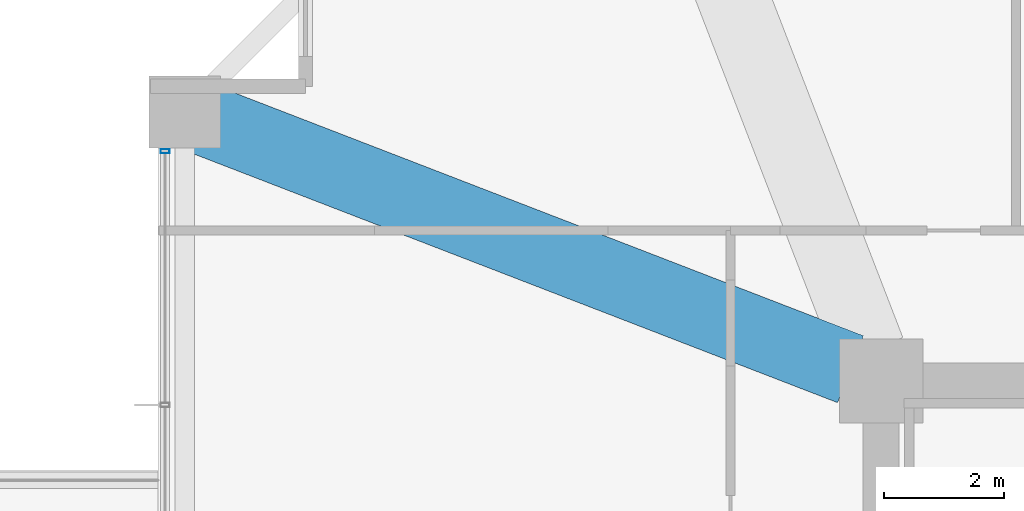
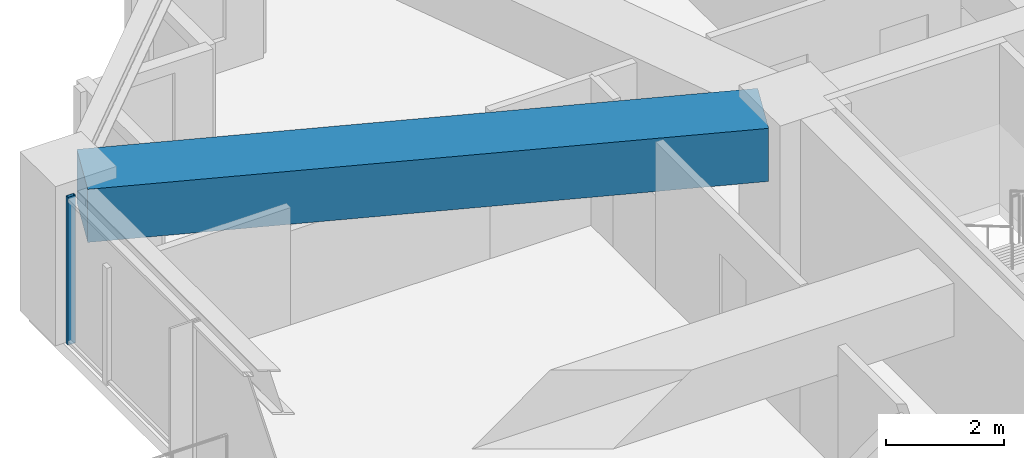
# One storey, part 19 of 39: 1 beam, 1 member, 1 element without a shape of its own.
"""IFC4 building model written with IfcOpenShell, lengths in metres."""

import ifcopenshell
import ifcopenshell.guid

model = None  # the IFC model being written
_history = None  # IfcOwnerHistory: only IFC2X3 demands one
_inside = {}  # id of a spatial element -> (the spatial element, [elements in it])
_under = {}  # id of a project, library or spatial element -> (it, [spatial elements below it])
_declared = {}  # id of a project -> (the project, [libraries it declares])
_typed = {}  # id of a type object -> (the type object, [elements of that type])
_made_of = {}  # id of a material, layer set ... -> (it, [elements and type objects made of it])


def new_model(schema):
    """Start an empty IFC model of exactly this schema.

    Asked for "IFC4X3", IfcOpenShell would pick the latest addendum, in which some entities
    have other attributes; the version numbers below select the first issue.
    IFC2X3 requires an IfcOwnerHistory on every rooted entity: one is made here for all.
    """
    global model, _history
    if schema == "IFC4X3":
        model = ifcopenshell.file(schema_version=(4, 3, 0, 0))
    else:
        model = ifcopenshell.file(schema=schema)
    _inside.clear()
    _under.clear()
    _declared.clear()
    _typed.clear()
    _made_of.clear()
    _history = None
    if model.schema == "IFC2X3":
        org = make("IfcOrganization", Name="unknown")
        user = make(
            "IfcPersonAndOrganization",
            ThePerson=make("IfcPerson", FamilyName="unknown"),
            TheOrganization=org,
        )
        app = make(
            "IfcApplication",
            ApplicationDeveloper=org,
            Version="unknown",
            ApplicationFullName="unknown",
            ApplicationIdentifier="unknown",
        )
        _history = make(
            "IfcOwnerHistory",
            OwningUser=user,
            OwningApplication=app,
            ChangeAction="ADDED",
            CreationDate=0,
        )
    return model


def make(cls, **values):
    """One entity of the class cls with the attributes given. An attribute that is None is left unset."""
    return model.create_entity(
        cls, **{name: value for name, value in values.items() if value is not None}
    )


def rooted(cls, **values):
    """An entity with a GlobalId (a new one), such as an element, a storey or a relation."""
    return make(cls, GlobalId=ifcopenshell.guid.new(), OwnerHistory=_history, **values)


def si_unit(unit_type, name, prefix=None):
    """IfcSIUnit, for example si_unit("LENGTHUNIT", "METRE", prefix="MILLI")."""
    return make("IfcSIUnit", UnitType=unit_type, Prefix=prefix, Name=name)


def assignment(units):
    """IfcUnitAssignment: the units of a project."""
    return None if units is None else make("IfcUnitAssignment", Units=units)


def point(xyz):
    """IfcCartesianPoint."""
    return None if xyz is None else make("IfcCartesianPoint", Coordinates=xyz)


def direction(xyz):
    """IfcDirection."""
    return None if xyz is None else make("IfcDirection", DirectionRatios=xyz)


def frame(location, z_axis=None, x_axis=None):
    """IfcAxis2Placement3D, a coordinate frame: its origin and axes. An axis left out is left unset."""
    return make(
        "IfcAxis2Placement3D",
        Location=point(location),
        Axis=direction(z_axis),
        RefDirection=direction(x_axis),
    )


def frame_2d(location, x_axis=None):
    """IfcAxis2Placement2D, a coordinate frame in the plane: its origin and x axis."""
    return make(
        "IfcAxis2Placement2D", Location=point(location), RefDirection=direction(x_axis)
    )


def origin():
    """The frame at (0, 0, 0) with its axes left unset."""
    return frame((0.0, 0.0, 0.0))


def origin_2d():
    """The frame at (0, 0) in the plane with its x axis left unset."""
    return frame_2d((0.0, 0.0))


def place(relative_to, where):
    """IfcLocalPlacement: puts the frame where relative to a parent placement (None: the world)."""
    return make(
        "IfcLocalPlacement", PlacementRelTo=relative_to, RelativePlacement=where
    )


def context(
    kind, dimensions, precision=None, world=None, true_north=None, identifier=None
):
    """IfcGeometricRepresentationContext, for example the 3D "Model" context."""
    return make(
        "IfcGeometricRepresentationContext",
        ContextIdentifier=identifier,
        ContextType=kind,
        CoordinateSpaceDimension=dimensions,
        Precision=precision,
        WorldCoordinateSystem=world,
        TrueNorth=true_north,
    )


def subcontext(parent, identifier, kind, view, scale=None):
    """IfcGeometricRepresentationSubContext, for example "Body" below "Model"."""
    return make(
        "IfcGeometricRepresentationSubContext",
        ContextIdentifier=identifier,
        ContextType=kind,
        ParentContext=parent,
        TargetScale=scale,
        TargetView=view,
    )


def project(units=None, contexts=None):
    """IfcProject with its units and contexts."""
    return rooted(
        "IfcProject",
        Name="project",
        RepresentationContexts=contexts,
        UnitsInContext=assignment(units),
    )


def spatial(cls, under=None, at=None, **own):
    """A site, building, storey or space (cls), placed at a placement, below another one or the project."""
    s = rooted(cls, ObjectPlacement=at, **own)
    if under is not None:
        _under.setdefault(under.id(), (under, []))[1].append(s)
    return s


def profile(cls, at=None, kind="AREA", **sizes):
    """A parametric profile (cls). Its sizes go by their IFC names, for example OverallWidth=200.0."""
    return make(cls, ProfileType=kind, Position=at, **sizes)


def rectangle(**sizes):
    """IfcRectangleProfileDef."""
    return profile("IfcRectangleProfileDef", **sizes)


def hollow_rectangle(**sizes):
    """IfcRectangleHollowProfileDef."""
    return profile("IfcRectangleHollowProfileDef", **sizes)


def extrude(swept, where, along, depth):
    """IfcExtrudedAreaSolid: the profile swept, set in the frame where, extruded along a direction by depth."""
    return make(
        "IfcExtrudedAreaSolid",
        SweptArea=swept,
        Position=where,
        ExtrudedDirection=direction(along),
        Depth=depth,
    )


def shape(context_of_items, identifier, shape_type, items):
    """IfcShapeRepresentation: the items that make up one representation, for example the "Body"."""
    return make(
        "IfcShapeRepresentation",
        ContextOfItems=context_of_items,
        RepresentationIdentifier=identifier,
        RepresentationType=shape_type,
        Items=items,
    )


def material(Name=None, Category=None):
    """IfcMaterial."""
    return make("IfcMaterial", Name=Name, Category=Category)


def material_profile(
    of_material, cross_section, Name=None, Category=None, Priority=None
):
    """IfcMaterialProfile: a cross section and its material."""
    return make(
        "IfcMaterialProfile",
        Name=Name,
        Material=of_material,
        Profile=cross_section,
        Priority=Priority,
        Category=Category,
    )


def profile_set(profiles, Name=None, composite=None):
    """IfcMaterialProfileSet."""
    return make(
        "IfcMaterialProfileSet",
        Name=Name,
        MaterialProfiles=profiles,
        CompositeProfile=composite,
    )


def made_of(thing, what):
    """Note that an element or type object is made of a material, layer set ...; save() writes the relation."""
    if what is not None:
        _made_of.setdefault(what.id(), (what, []))[1].append(thing)
    return thing


def type_object(cls, material=None, **own):
    """A type object (cls), such as IfcWallType, which elements share."""
    return made_of(rooted(cls, **own), material)


def element(
    cls,
    number,
    at=None,
    inside=None,
    cuts=None,
    type_object=None,
    material=None,
    context=None,
    identifier="Body",
    shape_type=None,
    held_by="IfcProductDefinitionShape",
    body=None,
    shapes=None,
    **own,
):
    """One element of the class cls, such as IfcWall. Its Tag is "e" and its number.

    at: its placement. inside: the storey or other place that contains it. cuts: it is an
    opening in that element (IfcRelVoidsElement). A single representation is given by context,
    identifier, shape_type and body (its items); several are given by shapes. held_by: the class
    of the entity that holds the representations. save() writes the other relations.
    """
    e = rooted(cls, Tag="e%d" % number, ObjectPlacement=at, **own)
    if body is not None:
        shapes = [shape(context, identifier, shape_type, body)]
    if shapes is not None:
        e.Representation = make(held_by, Representations=shapes)
    if inside is not None:
        _inside.setdefault(inside.id(), (inside, []))[1].append(e)
    if cuts is not None:
        rooted(
            "IfcRelVoidsElement", RelatingBuildingElement=cuts, RelatedOpeningElement=e
        )
    if type_object is not None:
        _typed.setdefault(type_object.id(), (type_object, []))[1].append(e)
    return made_of(e, material)


def aggregate(whole, parts):
    """IfcRelAggregates: a whole, such as a stair, and the parts it consists of."""
    return rooted("IfcRelAggregates", RelatingObject=whole, RelatedObjects=parts)


def save(model, path):
    """Write the relations noted so far, then the file.

    IfcRelAggregates (storeys below a building ...), IfcRelContainedInSpatialStructure (elements
    in a storey), IfcRelDefinesByType, IfcRelAssociatesMaterial and IfcRelDeclares: one each for
    every whole, place, type object, material and project.
    """
    for whole, parts in _under.values():
        aggregate(whole, parts)
    for where, things in _inside.values():
        rooted(
            "IfcRelContainedInSpatialStructure",
            RelatedElements=things,
            RelatingStructure=where,
        )
    for kind, things in _typed.values():
        rooted("IfcRelDefinesByType", RelatedObjects=things, RelatingType=kind)
    for what, things in _made_of.values():
        rooted("IfcRelAssociatesMaterial", RelatedObjects=things, RelatingMaterial=what)
    for by, libraries in _declared.values():
        rooted("IfcRelDeclares", RelatingContext=by, RelatedDefinitions=libraries)
    model.write(path)


model = new_model("IFC4")

# Units and contexts
model_context = context("Model", 3, precision=1e-05, world=origin(), true_north=direction((0.0, 1.0)))
body_context = subcontext(model_context, "Body", "Model", "MODEL_VIEW")
ifc_project = project(units=[si_unit("LENGTHUNIT", "METRE"), si_unit("AREAUNIT", "SQUARE_METRE"), si_unit("VOLUMEUNIT", "CUBIC_METRE"), si_unit("PLANEANGLEUNIT", "RADIAN"), si_unit("MASSUNIT", "GRAM", prefix="KILO")], contexts=[model_context])

# Site, building, storey
site_placement = place(None, origin())
site = spatial("IfcSite", under=ifc_project, at=site_placement, CompositionType="ELEMENT")
building_placement = place(site_placement, origin())
building = spatial("IfcBuilding", under=site, at=building_placement, Name="Kolvaren Belvedere", CompositionType="ELEMENT")
storey_placement = place(building_placement, frame((0.0, 0.0, 33.699951171875)))
storey = spatial("IfcBuildingStorey", under=building, at=storey_placement, Name="L09", CompositionType="ELEMENT", Elevation=33.699951171875)

# Beam
ifc_material_1 = material(Name="Concrete C50/60", Category="concrete")
ifc_material_profile_1 = material_profile(ifc_material_1, rectangle(XDim=1.199951171875, YDim=1.10009765625, at=origin_2d()), Name="RC 1200X1100")
ifc_profile_set_1 = profile_set([ifc_material_profile_1], Name="Concrete C50/60")
beam_type = type_object("IfcBeamType", Name="BM-TG-1100", PredefinedType="BEAM", material=ifc_profile_set_1)
beam_placement = place(storey_placement, frame((-10.4130859375, 10.09814453125, 2.510009765625), z_axis=(-0.932829382313, 0.360318391835, 0.0), x_axis=(-0.360318391835, -0.932829382313, 0.0)))
element("IfcBeam", 1, at=beam_placement, inside=storey, type_object=beam_type, Name="L09 Corner Core-to-Perimeter Girder CC4-W4", PredefinedType="BEAM", context=body_context, shape_type="SweptSolid", body=[
    extrude(rectangle(XDim=1.199951171875, YDim=1.10009765625, at=origin_2d()), origin(), (0.0, 0.0, 1.0), 11.698974609375),
])

# Curtain wall, member
ifc_material_2 = material(Name="Anodised pale-metal aluminium AA 6063-T6", Category="aluminium")
curtain_wall_type = type_object("IfcCurtainWallType", Name="CW-Z1-LOW", PredefinedType="NOTDEFINED", material=ifc_material_2)
curtain_wall_placement = place(storey_placement, origin())
curtain_wall = element("IfcCurtainWall", 2, at=curtain_wall_placement, inside=storey, type_object=curtain_wall_type, Name="L09 Unitised Curtain Wall FCW-L09-W2-B2", PredefinedType="NOTDEFINED")
ifc_material_3 = material(Name="Anodised pale-metal aluminium AA 6063-T6", Category="aluminium")
ifc_material_profile_2 = material_profile(ifc_material_3, hollow_rectangle(XDim=0.070068359375, YDim=0.14990234375, WallThickness=0.004150390625, at=origin_2d()), Name="ALU-MUL-150X70")
ifc_profile_set_2 = profile_set([ifc_material_profile_2], Name="Anodised pale-metal aluminium AA 6063-T6")
member_type = type_object("IfcMemberType", Name="CW-MUL-150", PredefinedType="MULLION", material=ifc_profile_set_2)
member_placement = place(storey_placement, frame((-21.8798828125, 13.7451171875, 0.0), z_axis=(0.0, 0.0, 1.0), x_axis=(0.0, 1.0, 0.0)))
member = element("IfcMember", 3, at=member_placement, type_object=member_type, Name="FCW-L09-W2-B2 Unitised Mullion 3", PredefinedType="MULLION", context=body_context, shape_type="SweptSolid", body=[
    extrude(hollow_rectangle(XDim=0.070068359375, YDim=0.14990234375, WallThickness=0.004150390625, at=origin_2d()), origin(), (0.0, 0.0, 1.0), 3.06005859375),
])
aggregate(curtain_wall, [member])

save(model, "model.ifc")
